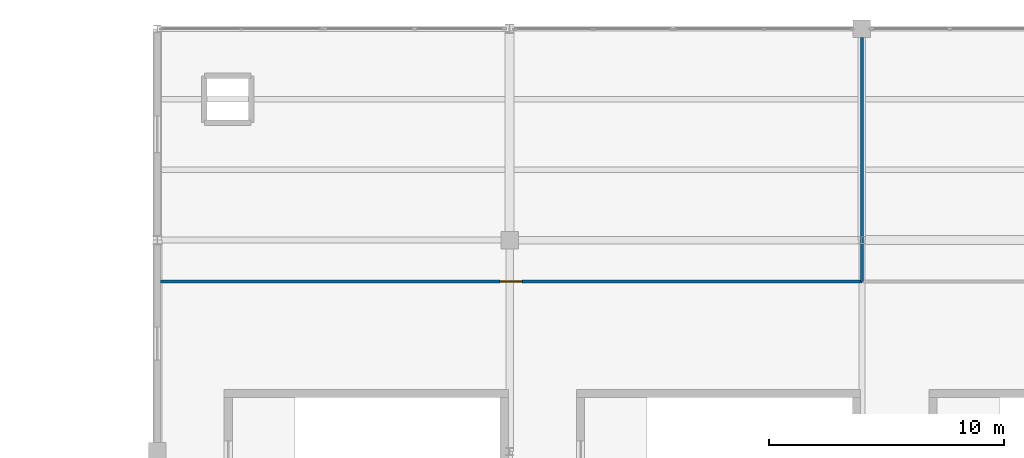
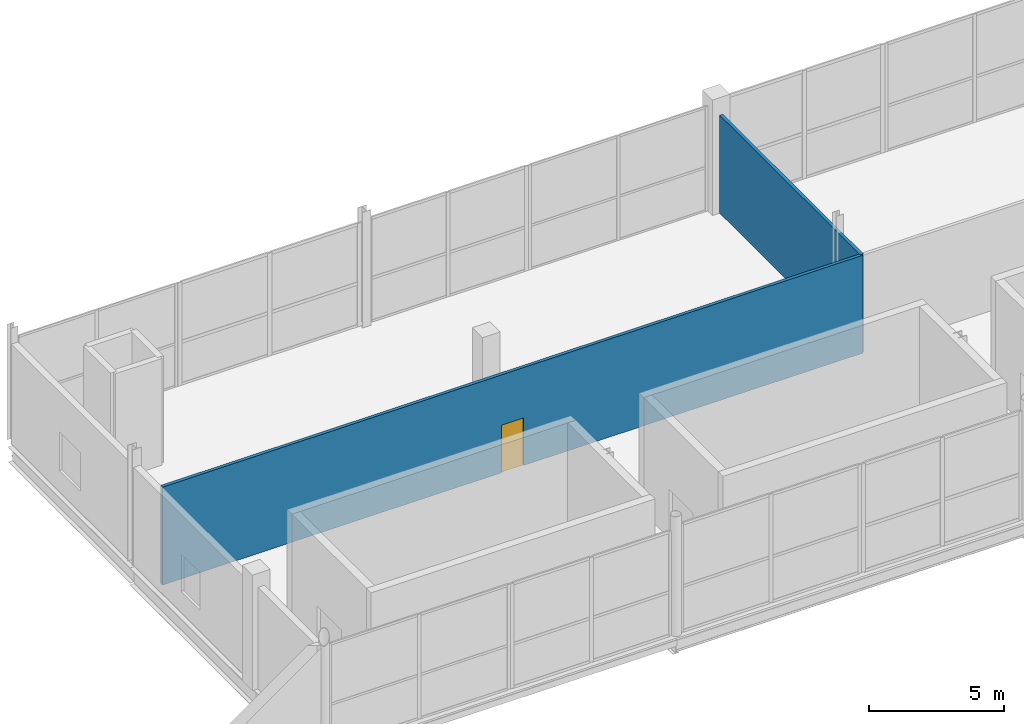
# One storey, part 89 of 119: 2 walls, 1 door, 1 opening.
"""IFC4 building model written with IfcOpenShell, lengths in metres."""

from ifc_helpers import new_model, si_unit, direction, frame, frame_2d, origin, place, context, subcontext, project, spatial, rectangle, extrude, material, layer, layer_set, type_object, element, fill, save


model = new_model("IFC4")

# Units and contexts
model_context = context("Model", 3, precision=1e-05, world=origin(), true_north=direction((0.0, 1.0)))
body_context = subcontext(model_context, "Body", "Model", "MODEL_VIEW")
ifc_project = project(units=[si_unit("LENGTHUNIT", "METRE"), si_unit("AREAUNIT", "SQUARE_METRE"), si_unit("VOLUMEUNIT", "CUBIC_METRE"), si_unit("PLANEANGLEUNIT", "RADIAN"), si_unit("MASSUNIT", "GRAM", prefix="KILO")], contexts=[model_context])

# Site, building, storey
site_placement = place(None, origin())
site = spatial("IfcSite", under=ifc_project, at=site_placement, CompositionType="ELEMENT")
building_placement = place(site_placement, origin())
building = spatial("IfcBuilding", under=site, at=building_placement, Name="Qamarlyn Nura Convention Centre", CompositionType="ELEMENT")
storey_placement = place(building_placement, frame((0.0, 0.0, 5.39990234375)))
storey = spatial("IfcBuildingStorey", under=building, at=storey_placement, Name="L01", CompositionType="ELEMENT", Elevation=5.39990234375)

# Wall
ifc_material_1 = material(Name="Acoustic double-stud gypsum partition")
ifc_layer = layer(ifc_material_1, 0.135009765625, Name="WT-PART-135")
ifc_layer_set = layer_set([ifc_layer], Name="Acoustic double-stud gypsum partition")
wall_type = type_object("IfcWallType", Name="WT-PART-135", PredefinedType="PARTITIONING", material=ifc_layer_set)
wall_1_placement = place(storey_placement, frame((45.0, 125.6201171875, 0.0), z_axis=(0.0, 0.0, 1.0), x_axis=(0.0, -1.0, 0.0)))
element("IfcWall", 1, at=wall_1_placement, inside=storey, type_object=wall_type, Name="L01 interior partition L01-BRK-NW1-2-1", PredefinedType="PARTITIONING", context=body_context, shape_type="SweptSolid", body=[
    extrude(rectangle(XDim=10.380126953125, YDim=0.135009765625, at=frame_2d((5.18994140625, 0.0))), origin(), (0.0, 0.0, 1.0), 4.4169921875),
])

# Wall, opening, door
wall_2_placement = place(storey_placement, frame((45.0, 115.239990234375, 0.0), z_axis=(0.0, 0.0, 1.0), x_axis=(-1.0, 0.0, 0.0)))
wall_2 = element("IfcWall", 2, at=wall_2_placement, inside=storey, type_object=wall_type, Name="L01 interior partition L01-BRK-NW1-3-1", PredefinedType="PARTITIONING", context=body_context, shape_type="SweptSolid", body=[
    extrude(rectangle(XDim=29.860107421875, YDim=0.135009765625, at=frame_2d((14.93017578125, 0.0))), origin(), (0.0, 0.0, 1.0), 4.4169921875),
])
opening_placement = place(wall_2_placement, frame((14.4599609375, 0.0, 0.0)))
opening = element("IfcOpeningElement", 3, at=opening_placement, cuts=wall_2, Name="Opening D-L01-164", PredefinedType="OPENING", context=body_context, shape_type="SweptSolid", body=[
    extrude(rectangle(XDim=0.93994140625, YDim=2.14990234375, at=frame_2d((0.469970703125, 1.074951171875))), frame((0.0, 0.07763671875, 0.0), z_axis=(0.0, -1.0, 0.0), x_axis=(1.0, 0.0, 0.0)), (0.0, 0.0, 1.0), 0.155029296875),
])
ifc_material_2 = material(Name="Acoustic walnut timber leaf", Category="wood")
door_type = type_object("IfcDoorType", Name="DR-ROOM-0940", OperationType="NOTDEFINED", PredefinedType="DOOR", material=ifc_material_2)
door_placement = place(opening_placement, origin())
door = element("IfcDoor", 4, at=door_placement, inside=storey, type_object=door_type, Name="L01 North Breakout Meeting Suite 102 door D-L01-164", OperationType="SINGLE_SWING_RIGHT", OverallHeight=2.14990234375, OverallWidth=0.93994140625, PredefinedType="DOOR", context=body_context, shape_type="SweptSolid", body=[
    extrude(rectangle(XDim=0.93994140625, YDim=2.14990234375, at=frame_2d((0.469970703125, 1.074951171875))), frame((0.0, 0.02490234375, 0.0), z_axis=(0.0, -1.0, 0.0), x_axis=(1.0, 0.0, 0.0)), (0.0, 0.0, 1.0), 0.050048828125),
])
fill(opening, door)

save(model, "model.ifc")
